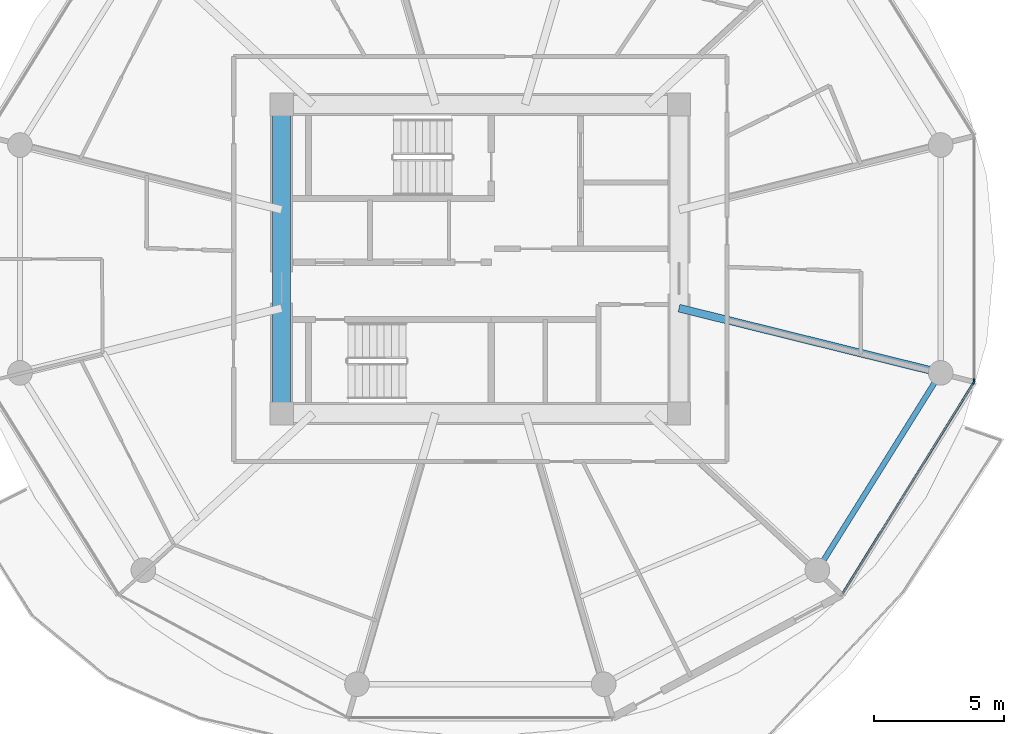
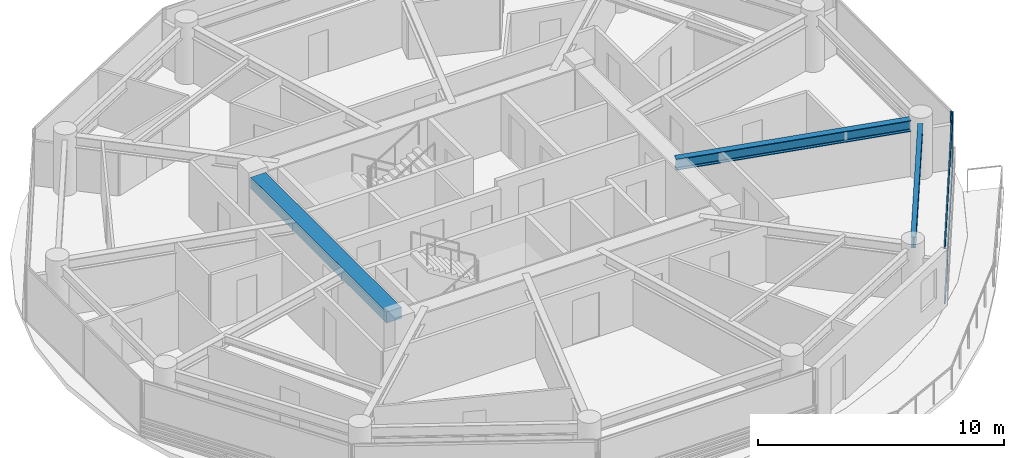
# One storey, part 11 of 26: 4 members, 3 beams, 2 elements without a shape of their own.
"""IFC4 building model written with IfcOpenShell, lengths in metres."""

from ifc_helpers import new_model, si_unit, direction, frame, origin, origin_2d, place, context, subcontext, project, spatial, rectangle, i_section, extrude, source, transform, mapped, material, layer, layer_set, material_profile, profile_set, type_object, type_shapes, element, aggregate, save


model = new_model("IFC4")

# Units and contexts
model_context = context("Model", 3, precision=1e-05, world=origin(), true_north=direction((0.0, 1.0)))
body_context = subcontext(model_context, "Body", "Model", "MODEL_VIEW")
ifc_project = project(units=[si_unit("LENGTHUNIT", "METRE"), si_unit("AREAUNIT", "SQUARE_METRE"), si_unit("VOLUMEUNIT", "CUBIC_METRE"), si_unit("PLANEANGLEUNIT", "RADIAN"), si_unit("MASSUNIT", "GRAM", prefix="KILO")], contexts=[model_context])

# Site, building, storey
site_placement = place(None, origin())
site = spatial("IfcSite", under=ifc_project, at=site_placement, CompositionType="ELEMENT")
building_placement = place(site_placement, origin())
building = spatial("IfcBuilding", under=site, at=building_placement, Name="Norrkilde Senior Care Towers", CompositionType="ELEMENT")
storey_placement = place(building_placement, frame((0.0, 0.0, 24.64990234375)))
storey = spatial("IfcBuildingStorey", under=building, at=storey_placement, Name="L06", CompositionType="ELEMENT", Elevation=24.64990234375)

# Beams
ifc_material_1 = material(Name="Concrete C60/75", Category="concrete")
ifc_material_profile_1 = material_profile(ifc_material_1, rectangle(XDim=0.699951171875, YDim=0.550048828125, at=origin_2d()), Name="RC BM 700x550")
ifc_profile_set_1 = profile_set([ifc_material_profile_1], Name="Concrete C60/75")
beam_type_1 = type_object("IfcBeamType", Name="Core Portal Coupling Beam 700x550", PredefinedType="USERDEFINED", material=ifc_profile_set_1)
shared_shape_1 = source(origin(), body_context, "Body", "SweptSolid", [
    extrude(rectangle(XDim=0.699951171875, YDim=0.550048828125, at=origin_2d()), origin(), (0.0, 0.0, 1.0), 11.0400390625),
])
type_shapes(beam_type_1, [shared_shape_1])
beam_1_placement = place(storey_placement, frame((20.35009765625, -5.52001953125, 2.51513671875), z_axis=(0.0, 1.0, 0.0), x_axis=(-1.0, 0.0, 0.0)))
element("IfcBeam", 1, at=beam_1_placement, inside=storey, type_object=beam_type_1, Name="L06 Core E W Coupling Girder", ObjectType="GIRDER", PredefinedType="USERDEFINED", context=body_context, shape_type="MappedRepresentation", body=[
    mapped(shared_shape_1, transform((0.0, 0.0, 0.0), x_axis=(1.0, 0.0, 0.0), y_axis=(0.0, 1.0, 0.0), z_axis=(0.0, 0.0, 1.0), scale=1.0)),
])
ifc_material_2 = material(Name="Steel S355", Category="steel")
ifc_material_profile_2 = material_profile(ifc_material_2, i_section(OverallWidth=0.2099609375, OverallDepth=0.550048828125, WebThickness=0.010986328125, FlangeThickness=0.01708984375, FilletRadius=0.02392578125, at=origin_2d()), Name="IPE 550")
ifc_profile_set_2 = profile_set([ifc_material_profile_2], Name="Steel S355")
beam_type_2 = type_object("IfcBeamType", Name="Perimeter Ring Spandrel Z1 IPE550", PredefinedType="SPANDREL", material=ifc_profile_set_2)
shared_shape_2 = source(origin(), body_context, "Body", "SweptSolid", [
    extrude(i_section(OverallWidth=0.2099609375, OverallDepth=0.550048828125, WebThickness=0.010986328125, FlangeThickness=0.01708984375, FilletRadius=0.02392578125, at=origin_2d()), origin(), (0.0, 0.0, 1.0), 8.090576171875),
])
type_shapes(beam_type_2, [shared_shape_2])
beam_2_placement = place(storey_placement, frame((41.2060546875, -11.61669921875, 2.51513671875), z_axis=(0.530004364821, 0.84799491347, 0.0), x_axis=(-0.84799491347, 0.530004364821, 0.0)))
element("IfcBeam", 2, at=beam_2_placement, inside=storey, type_object=beam_type_2, Name="L06 Drum E Perimeter Spandrel 11", PredefinedType="SPANDREL", context=body_context, shape_type="MappedRepresentation", body=[
    mapped(shared_shape_2, transform((0.0, 0.0, 0.0), x_axis=(1.0, 0.0, 0.0), y_axis=(0.0, 1.0, 0.0), z_axis=(0.0, 0.0, 1.0), scale=1.0)),
])
ifc_material_profile_3 = material_profile(ifc_material_2, i_section(OverallWidth=0.300048828125, OverallDepth=0.550048828125, WebThickness=0.014892578125, FlangeThickness=0.029052734375, FilletRadius=0.027099609375, at=origin_2d()), Name="HEB 550")
ifc_profile_set_3 = profile_set([ifc_material_profile_3], Name="Steel S355")
beam_type_3 = type_object("IfcBeamType", Name="Radial Floor Beam Z1 HEB550", PredefinedType="BEAM", material=ifc_profile_set_3)
shared_shape_3 = source(origin(), body_context, "Body", "SweptSolid", [
    extrude(i_section(OverallWidth=0.300048828125, OverallDepth=0.550048828125, WebThickness=0.014892578125, FlangeThickness=0.029052734375, FilletRadius=0.027099609375, at=origin_2d()), origin(), (0.0, 0.0, 1.0), 9.94384765625),
])
type_shapes(beam_type_3, [shared_shape_3])
beam_3_placement = place(storey_placement, frame((35.64990234375, -1.893310546875, 2.51513671875), z_axis=(0.970707425182, -0.240264634718, 0.0), x_axis=(0.240264634718, 0.970707425182, 0.0)))
element("IfcBeam", 3, at=beam_3_placement, inside=storey, type_object=beam_type_3, Name="L06 Drum E Radial Floor Beam 12", PredefinedType="BEAM", context=body_context, shape_type="MappedRepresentation", body=[
    mapped(shared_shape_3, transform((0.0, 0.0, 0.0), x_axis=(1.0, 0.0, 0.0), y_axis=(0.0, 1.0, 0.0), z_axis=(0.0, 0.0, 1.0), scale=1.0)),
])

# Curtain wall, member
ifc_material_3 = material(Name="Triple Low-E Insulated Glazing", Category="glass")
ifc_layer = layer(ifc_material_3, 0.199951171875)
ifc_layer_set = layer_set([ifc_layer], Name="Triple Low-E Insulated Glazing")
curtain_wall_type = type_object("IfcCurtainWallType", Name="CW2 Zone 1 Memory Care Curtain Wall", PredefinedType="NOTDEFINED", material=ifc_layer_set)
curtain_wall_1_placement = place(storey_placement, origin())
curtain_wall_1 = element("IfcCurtainWall", 4, at=curtain_wall_1_placement, inside=storey, type_object=curtain_wall_type, Name="L06 Drum E Curtain Wall 10", PredefinedType="NOTDEFINED")
ifc_material_4 = material(Name="Anodised Aluminium", Category="aluminium")
ifc_material_profile_4 = material_profile(ifc_material_4, rectangle(XDim=0.06494140625, YDim=0.159912109375, at=origin_2d()), Name="ALU MULL 65x160")
ifc_profile_set_4 = profile_set([ifc_material_profile_4], Name="Anodised Aluminium")
member_type_1 = type_object("IfcMemberType", Name="Curtain Wall Mullion Z1-Z2 65x160", PredefinedType="MULLION", material=ifc_profile_set_4)
shared_shape_4 = source(origin(), body_context, "Body", "SweptSolid", [
    extrude(rectangle(XDim=0.06494140625, YDim=0.159912109375, at=origin_2d()), origin(), (0.0, 0.0, 1.0), 2.7900390625),
])
type_shapes(member_type_1, [shared_shape_4])
member_1_placement = place(storey_placement, frame((46.9921875, -4.7587890625, 0.0), z_axis=(0.0, 0.0, 1.0), x_axis=(0.849305943117, -0.527900951871, 0.0)))
member_1 = element("IfcMember", 5, at=member_1_placement, type_object=member_type_1, Name="CW-2 mullion 1", PredefinedType="MULLION", context=body_context, shape_type="MappedRepresentation", body=[
    mapped(shared_shape_4, transform((0.0, 0.0, 0.0), x_axis=(1.0, 0.0, 0.0), y_axis=(0.0, 1.0, 0.0), z_axis=(0.0, 0.0, 1.0), scale=1.0)),
])

curtain_wall_2_placement = place(storey_placement, origin())
curtain_wall_2 = element("IfcCurtainWall", 6, at=curtain_wall_2_placement, inside=storey, type_object=curtain_wall_type, Name="L06 Drum E Curtain Wall 11", PredefinedType="NOTDEFINED")
member_2_placement = place(storey_placement, frame((47.009521484375, -4.69873046875, 0.0), z_axis=(0.0, 0.0, 1.0), x_axis=(1.0, 0.0, 0.0)))
member_2 = element("IfcMember", 7, at=member_2_placement, type_object=member_type_1, Name="CW-2 mullion 2", PredefinedType="MULLION", context=body_context, shape_type="MappedRepresentation", body=[
    mapped(shared_shape_4, transform((0.0, 0.0, 0.0), x_axis=(1.0, 0.0, 0.0), y_axis=(0.0, 1.0, 0.0), z_axis=(0.0, 0.0, 1.0), scale=1.0)),
])
aggregate(curtain_wall_2, [member_2])

# Member
ifc_material_profile_5 = material_profile(ifc_material_4, rectangle(XDim=0.06005859375, YDim=0.1201171875, at=origin_2d()), Name="ALU TRAN 60x120")
ifc_profile_set_5 = profile_set([ifc_material_profile_5], Name="Anodised Aluminium")
member_type_2 = type_object("IfcMemberType", Name="Curtain Wall Transom Typical 60x120", PredefinedType="USERDEFINED", material=ifc_profile_set_5)
shared_shape_5 = source(origin(), body_context, "Body", "SweptSolid", [
    extrude(rectangle(XDim=0.06005859375, YDim=0.1201171875, at=origin_2d()), origin(), (0.0, 0.0, 1.0), 9.5185546875),
])
type_shapes(member_type_2, [shared_shape_5])
member_3_placement = place(storey_placement, frame((46.97509765625, -4.786376953125, 0.030029296875), z_axis=(-0.527901620669, -0.849305527413, 0.0), x_axis=(0.849305527413, -0.527901620669, 0.0)))
member_3 = element("IfcMember", 8, at=member_3_placement, type_object=member_type_2, Name="CW-2 transom 1.1", ObjectType="TRANSOM", PredefinedType="USERDEFINED", context=body_context, shape_type="MappedRepresentation", body=[
    mapped(shared_shape_5, transform((0.0, 0.0, 0.0), x_axis=(1.0, 0.0, 0.0), y_axis=(0.0, 1.0, 0.0), z_axis=(0.0, 0.0, 1.0), scale=1.0)),
])

member_4_placement = place(storey_placement, frame((46.97509765625, -4.786376953125, 2.760009765625), z_axis=(-0.527901620669, -0.849305527413, 0.0), x_axis=(0.849305527413, -0.527901620669, 0.0)))
member_4 = element("IfcMember", 9, at=member_4_placement, type_object=member_type_2, Name="CW-2 transom 1.2", ObjectType="TRANSOM", PredefinedType="USERDEFINED", context=body_context, shape_type="MappedRepresentation", body=[
    mapped(shared_shape_5, transform((0.0, 0.0, 0.0), x_axis=(1.0, 0.0, 0.0), y_axis=(0.0, 1.0, 0.0), z_axis=(0.0, 0.0, 1.0), scale=1.0)),
])

aggregate(curtain_wall_1, [member_1, member_3, member_4])

save(model, "model.ifc")
